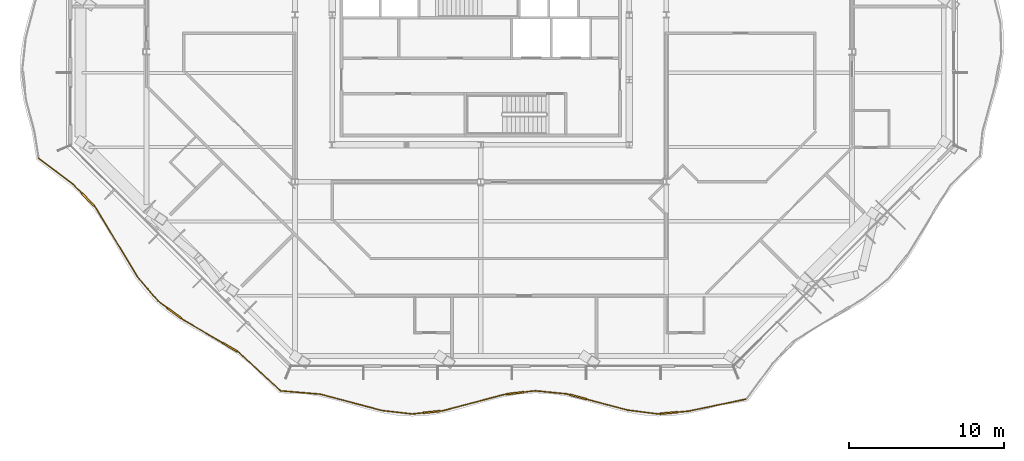
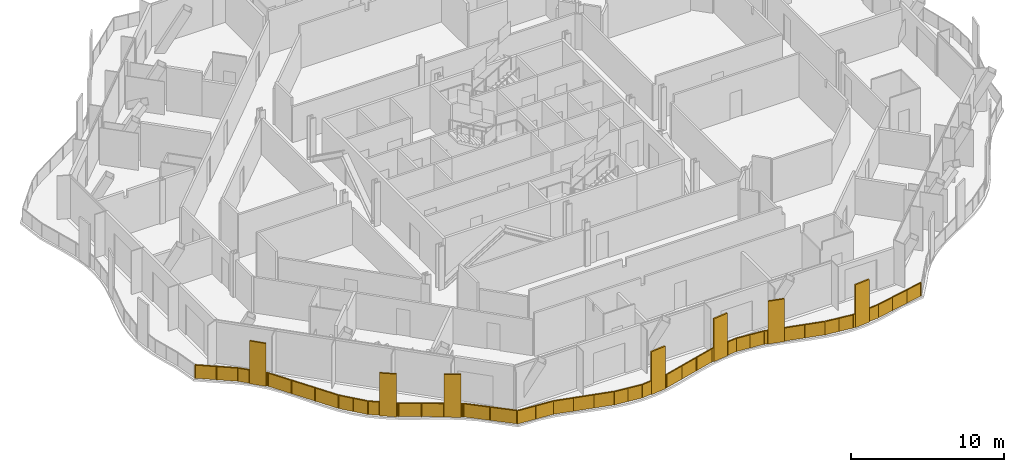
# One storey, part 14 of 21: 2 railings.
"""IFC4 building model written with IfcOpenShell, lengths in metres."""

import ifcopenshell
import ifcopenshell.guid

model = None  # the IFC model being written
_history = None  # IfcOwnerHistory: only IFC2X3 demands one
_inside = {}  # id of a spatial element -> (the spatial element, [elements in it])
_under = {}  # id of a project, library or spatial element -> (it, [spatial elements below it])
_declared = {}  # id of a project -> (the project, [libraries it declares])
_typed = {}  # id of a type object -> (the type object, [elements of that type])
_made_of = {}  # id of a material, layer set ... -> (it, [elements and type objects made of it])


def new_model(schema):
    """Start an empty IFC model of exactly this schema.

    Asked for "IFC4X3", IfcOpenShell would pick the latest addendum, in which some entities
    have other attributes; the version numbers below select the first issue.
    IFC2X3 requires an IfcOwnerHistory on every rooted entity: one is made here for all.
    """
    global model, _history
    if schema == "IFC4X3":
        model = ifcopenshell.file(schema_version=(4, 3, 0, 0))
    else:
        model = ifcopenshell.file(schema=schema)
    _inside.clear()
    _under.clear()
    _declared.clear()
    _typed.clear()
    _made_of.clear()
    _history = None
    if model.schema == "IFC2X3":
        org = make("IfcOrganization", Name="unknown")
        user = make(
            "IfcPersonAndOrganization",
            ThePerson=make("IfcPerson", FamilyName="unknown"),
            TheOrganization=org,
        )
        app = make(
            "IfcApplication",
            ApplicationDeveloper=org,
            Version="unknown",
            ApplicationFullName="unknown",
            ApplicationIdentifier="unknown",
        )
        _history = make(
            "IfcOwnerHistory",
            OwningUser=user,
            OwningApplication=app,
            ChangeAction="ADDED",
            CreationDate=0,
        )
    return model


def make(cls, **values):
    """One entity of the class cls with the attributes given. An attribute that is None is left unset."""
    return model.create_entity(
        cls, **{name: value for name, value in values.items() if value is not None}
    )


def rooted(cls, **values):
    """An entity with a GlobalId (a new one), such as an element, a storey or a relation."""
    return make(cls, GlobalId=ifcopenshell.guid.new(), OwnerHistory=_history, **values)


def si_unit(unit_type, name, prefix=None):
    """IfcSIUnit, for example si_unit("LENGTHUNIT", "METRE", prefix="MILLI")."""
    return make("IfcSIUnit", UnitType=unit_type, Prefix=prefix, Name=name)


def assignment(units):
    """IfcUnitAssignment: the units of a project."""
    return None if units is None else make("IfcUnitAssignment", Units=units)


def point(xyz):
    """IfcCartesianPoint."""
    return None if xyz is None else make("IfcCartesianPoint", Coordinates=xyz)


def direction(xyz):
    """IfcDirection."""
    return None if xyz is None else make("IfcDirection", DirectionRatios=xyz)


def frame(location, z_axis=None, x_axis=None):
    """IfcAxis2Placement3D, a coordinate frame: its origin and axes. An axis left out is left unset."""
    return make(
        "IfcAxis2Placement3D",
        Location=point(location),
        Axis=direction(z_axis),
        RefDirection=direction(x_axis),
    )


def frame_2d(location, x_axis=None):
    """IfcAxis2Placement2D, a coordinate frame in the plane: its origin and x axis."""
    return make(
        "IfcAxis2Placement2D", Location=point(location), RefDirection=direction(x_axis)
    )


def origin():
    """The frame at (0, 0, 0) with its axes left unset."""
    return frame((0.0, 0.0, 0.0))


def origin_2d():
    """The frame at (0, 0) in the plane with its x axis left unset."""
    return frame_2d((0.0, 0.0))


def place(relative_to, where):
    """IfcLocalPlacement: puts the frame where relative to a parent placement (None: the world)."""
    return make(
        "IfcLocalPlacement", PlacementRelTo=relative_to, RelativePlacement=where
    )


def context(
    kind, dimensions, precision=None, world=None, true_north=None, identifier=None
):
    """IfcGeometricRepresentationContext, for example the 3D "Model" context."""
    return make(
        "IfcGeometricRepresentationContext",
        ContextIdentifier=identifier,
        ContextType=kind,
        CoordinateSpaceDimension=dimensions,
        Precision=precision,
        WorldCoordinateSystem=world,
        TrueNorth=true_north,
    )


def subcontext(parent, identifier, kind, view, scale=None):
    """IfcGeometricRepresentationSubContext, for example "Body" below "Model"."""
    return make(
        "IfcGeometricRepresentationSubContext",
        ContextIdentifier=identifier,
        ContextType=kind,
        ParentContext=parent,
        TargetScale=scale,
        TargetView=view,
    )


def project(units=None, contexts=None):
    """IfcProject with its units and contexts."""
    return rooted(
        "IfcProject",
        Name="project",
        RepresentationContexts=contexts,
        UnitsInContext=assignment(units),
    )


def spatial(cls, under=None, at=None, **own):
    """A site, building, storey or space (cls), placed at a placement, below another one or the project."""
    s = rooted(cls, ObjectPlacement=at, **own)
    if under is not None:
        _under.setdefault(under.id(), (under, []))[1].append(s)
    return s


def polyline(points):
    """IfcPolyline through the points."""
    return make("IfcPolyline", Points=[point(p) for p in points])


def profile(cls, at=None, kind="AREA", **sizes):
    """A parametric profile (cls). Its sizes go by their IFC names, for example OverallWidth=200.0."""
    return make(cls, ProfileType=kind, Position=at, **sizes)


def rectangle(**sizes):
    """IfcRectangleProfileDef."""
    return profile("IfcRectangleProfileDef", **sizes)


def outline(outer, holes=None, kind="AREA"):
    """IfcArbitraryClosedProfileDef: a profile drawn as a closed curve; with holes, ...WithVoids."""
    if holes is None:
        return make("IfcArbitraryClosedProfileDef", ProfileType=kind, OuterCurve=outer)
    return make(
        "IfcArbitraryProfileDefWithVoids",
        ProfileType=kind,
        OuterCurve=outer,
        InnerCurves=holes,
    )


def extrude(swept, where, along, depth):
    """IfcExtrudedAreaSolid: the profile swept, set in the frame where, extruded along a direction by depth."""
    return make(
        "IfcExtrudedAreaSolid",
        SweptArea=swept,
        Position=where,
        ExtrudedDirection=direction(along),
        Depth=depth,
    )


def shape(context_of_items, identifier, shape_type, items):
    """IfcShapeRepresentation: the items that make up one representation, for example the "Body"."""
    return make(
        "IfcShapeRepresentation",
        ContextOfItems=context_of_items,
        RepresentationIdentifier=identifier,
        RepresentationType=shape_type,
        Items=items,
    )


def material(Name=None, Category=None):
    """IfcMaterial."""
    return make("IfcMaterial", Name=Name, Category=Category)


def made_of(thing, what):
    """Note that an element or type object is made of a material, layer set ...; save() writes the relation."""
    if what is not None:
        _made_of.setdefault(what.id(), (what, []))[1].append(thing)
    return thing


def type_object(cls, material=None, **own):
    """A type object (cls), such as IfcWallType, which elements share."""
    return made_of(rooted(cls, **own), material)


def element(
    cls,
    number,
    at=None,
    inside=None,
    cuts=None,
    type_object=None,
    material=None,
    context=None,
    identifier="Body",
    shape_type=None,
    held_by="IfcProductDefinitionShape",
    body=None,
    shapes=None,
    **own,
):
    """One element of the class cls, such as IfcWall. Its Tag is "e" and its number.

    at: its placement. inside: the storey or other place that contains it. cuts: it is an
    opening in that element (IfcRelVoidsElement). A single representation is given by context,
    identifier, shape_type and body (its items); several are given by shapes. held_by: the class
    of the entity that holds the representations. save() writes the other relations.
    """
    e = rooted(cls, Tag="e%d" % number, ObjectPlacement=at, **own)
    if body is not None:
        shapes = [shape(context, identifier, shape_type, body)]
    if shapes is not None:
        e.Representation = make(held_by, Representations=shapes)
    if inside is not None:
        _inside.setdefault(inside.id(), (inside, []))[1].append(e)
    if cuts is not None:
        rooted(
            "IfcRelVoidsElement", RelatingBuildingElement=cuts, RelatedOpeningElement=e
        )
    if type_object is not None:
        _typed.setdefault(type_object.id(), (type_object, []))[1].append(e)
    return made_of(e, material)


def aggregate(whole, parts):
    """IfcRelAggregates: a whole, such as a stair, and the parts it consists of."""
    return rooted("IfcRelAggregates", RelatingObject=whole, RelatedObjects=parts)


def save(model, path):
    """Write the relations noted so far, then the file.

    IfcRelAggregates (storeys below a building ...), IfcRelContainedInSpatialStructure (elements
    in a storey), IfcRelDefinesByType, IfcRelAssociatesMaterial and IfcRelDeclares: one each for
    every whole, place, type object, material and project.
    """
    for whole, parts in _under.values():
        aggregate(whole, parts)
    for where, things in _inside.values():
        rooted(
            "IfcRelContainedInSpatialStructure",
            RelatedElements=things,
            RelatingStructure=where,
        )
    for kind, things in _typed.values():
        rooted("IfcRelDefinesByType", RelatedObjects=things, RelatingType=kind)
    for what, things in _made_of.values():
        rooted("IfcRelAssociatesMaterial", RelatedObjects=things, RelatingMaterial=what)
    for by, libraries in _declared.values():
        rooted("IfcRelDeclares", RelatingContext=by, RelatedDefinitions=libraries)
    model.write(path)


model = new_model("IFC4")

# Units and contexts
model_context = context("Model", 3, precision=1e-05, world=origin(), true_north=direction((0.0, 1.0)))
body_context = subcontext(model_context, "Body", "Model", "MODEL_VIEW")
ifc_project = project(units=[si_unit("LENGTHUNIT", "METRE"), si_unit("AREAUNIT", "SQUARE_METRE"), si_unit("VOLUMEUNIT", "CUBIC_METRE"), si_unit("PLANEANGLEUNIT", "RADIAN"), si_unit("MASSUNIT", "GRAM", prefix="KILO")], contexts=[model_context])

# Site, building, storey
site_placement = place(None, origin())
site = spatial("IfcSite", under=ifc_project, at=site_placement, CompositionType="ELEMENT")
building_placement = place(site_placement, origin())
building = spatial("IfcBuilding", under=site, at=building_placement, Name="Cairn Pilgrim Tower", CompositionType="ELEMENT")
storey_placement = place(building_placement, frame((0.0, 0.0, 183.0)))
storey = spatial("IfcBuildingStorey", under=building, at=storey_placement, Name="L46", CompositionType="ELEMENT", Elevation=183.0)

# Railings
ifc_material = material(Name="Bronze anodised aluminium rail, posts and fin screens with laminated glass infill", Category="aluminium")
railing_type = type_object("IfcRailingType", Name="BALCONY GUARD WITH FIN SCREENS", PredefinedType="GUARDRAIL", material=ifc_material)
railing_1_placement = place(storey_placement, frame((-5.732421875, -21.90478515625, 0.0)))
element("IfcRailing", 1, at=railing_1_placement, inside=storey, type_object=railing_type, Name="Balcony guard BGF-1 with fin screens", PredefinedType="GUARDRAIL", context=body_context, shape_type="SweptSolid", body=[
    extrude(rectangle(XDim=0.050048828125, YDim=0.050048828125, at=origin_2d()), frame((0.0, 0.0, 1.0751953125), z_axis=(0.996561414013, -0.082857396167, 0.0), x_axis=(0.082857396167, 0.996561414013, 0.0)), (0.0, 0.0, 1.0), 2.578125),
    extrude(rectangle(XDim=0.050048828125, YDim=0.050048828125, at=origin_2d()), frame((2.5693359375, -0.213623046875, 1.0751953125), z_axis=(0.966505377968, -0.256646360501, 0.0), x_axis=(0.256646360501, 0.966505377968, 0.0)), (0.0, 0.0, 1.0), 4.1123046875),
    extrude(rectangle(XDim=0.050048828125, YDim=0.050048828125, at=origin_2d()), frame((6.5439453125, -1.26904296875, 1.0751953125), z_axis=(0.993464661818, -0.114140114417, 0.0), x_axis=(0.114140114417, 0.993464661818, 0.0)), (0.0, 0.0, 1.0), 1.97216796875),
    extrude(rectangle(XDim=1.10009765625, YDim=0.110107421875, at=origin_2d()), frame((9.764892578125, -1.36376953125, 0.0), z_axis=(0.0, 0.0, 1.0), x_axis=(0.99470141865, 0.102806068578, 0.0)), (0.0, 0.0, 1.0), 3.39990234375),
    extrude(rectangle(XDim=0.050048828125, YDim=0.050048828125, at=origin_2d()), frame((8.503173828125, -1.494140625, 1.0751953125), z_axis=(0.99470141865, 0.102806068578, 0.0), x_axis=(-0.102806068578, 0.99470141865, 0.0)), (0.0, 0.0, 1.0), 0.718505859375),
    extrude(rectangle(XDim=0.050048828125, YDim=0.050048828125, at=origin_2d()), frame((10.31201171875, -1.30712890625, 1.0751953125), z_axis=(0.99470141865, 0.102806068578, 0.0), x_axis=(-0.102806068578, 0.99470141865, 0.0)), (0.0, 0.0, 1.0), 0.150146484375),
    extrude(rectangle(XDim=0.050048828125, YDim=0.050048828125, at=origin_2d()), frame((10.46142578125, -1.291748046875, 1.0751953125), z_axis=(0.96653901121, 0.25651966749, 0.0), x_axis=(-0.25651966749, 0.96653901121, 0.0)), (0.0, 0.0, 1.0), 4.108642578125),
    extrude(rectangle(XDim=1.10009765625, YDim=0.110107421875, at=origin_2d()), frame((15.1689453125, -0.14892578125, 0.0), z_axis=(0.0, 0.0, 1.0), x_axis=(0.992809438163, 0.119705553316, 0.0)), (0.0, 0.0, 1.0), 3.39990234375),
    extrude(rectangle(XDim=0.050048828125, YDim=0.050048828125, at=origin_2d()), frame((14.4326171875, -0.23779296875, 1.0751953125), z_axis=(0.992809438163, 0.119705553316, 0.0), x_axis=(-0.119705553316, 0.992809438163, 0.0)), (0.0, 0.0, 1.0), 0.191650390625),
    extrude(rectangle(XDim=0.050048828125, YDim=0.050048828125, at=origin_2d()), frame((15.71484375, -0.083251953125, 1.0751953125), z_axis=(0.992809438163, 0.119705553316, 0.0), x_axis=(-0.119705553316, 0.992809438163, 0.0)), (0.0, 0.0, 1.0), 0.735595703125),
    extrude(rectangle(XDim=0.050048828125, YDim=0.050048828125, at=origin_2d()), frame((16.4453125, 0.0048828125, 1.0751953125), z_axis=(0.995275486759, -0.097091222351, 0.0), x_axis=(0.097091222351, 0.995275486759, 0.0)), (0.0, 0.0, 1.0), 2.024169921875),
    extrude(rectangle(XDim=1.10009765625, YDim=0.110107421875, at=origin_2d()), frame((19.22705078125, -0.39501953125, 0.0), z_axis=(0.0, 0.0, 1.0), x_axis=(0.966604494718, -0.256272805406, 0.0)), (0.0, 0.0, 1.0), 3.39990234375),
    extrude(rectangle(XDim=0.050048828125, YDim=0.050048828125, at=origin_2d()), frame((18.4599609375, -0.191650390625, 1.0751953125), z_axis=(0.966604494718, -0.256272805406, 0.0), x_axis=(0.256272805406, 0.966604494718, 0.0)), (0.0, 0.0, 1.0), 0.24365234375),
    extrude(rectangle(XDim=0.050048828125, YDim=0.050048828125, at=origin_2d()), frame((19.7587890625, -0.535888671875, 1.0751953125), z_axis=(0.966604494718, -0.256272805406, 0.0), x_axis=(0.256272805406, 0.966604494718, 0.0)), (0.0, 0.0, 1.0), 2.76806640625),
    extrude(rectangle(XDim=0.050048828125, YDim=0.050048828125, at=origin_2d()), frame((22.434326171875, -1.245361328125, 1.0751953125), z_axis=(0.992134641634, -0.125175288576, 0.0), x_axis=(0.125175288576, 0.992134641634, 0.0)), (0.0, 0.0, 1.0), 1.975830078125),
    extrude(rectangle(XDim=1.10009765625, YDim=0.110107421875, at=origin_2d()), frame((25.091552734375, -1.4287109375, 0.0), z_axis=(0.0, 0.0, 1.0), x_axis=(0.995828941638, 0.091239898051, 0.0)), (0.0, 0.0, 1.0), 3.39990234375),
    extrude(rectangle(XDim=0.050048828125, YDim=0.050048828125, at=origin_2d()), frame((24.39453125, -1.49267578125, 1.0751953125), z_axis=(0.995828941638, 0.091239898051, 0.0), x_axis=(-0.091239898051, 0.995828941638, 0.0)), (0.0, 0.0, 1.0), 0.14990234375),
    extrude(rectangle(XDim=0.050048828125, YDim=0.050048828125, at=origin_2d()), frame((25.639404296875, -1.378662109375, 1.0751953125), z_axis=(0.995828941638, 0.091239898051, 0.0), x_axis=(-0.091239898051, 0.995828941638, 0.0)), (0.0, 0.0, 1.0), 0.719482421875),
    extrude(rectangle(XDim=0.050048828125, YDim=0.050048828125, at=origin_2d()), frame((26.355712890625, -1.31298828125, 1.0751953125), z_axis=(0.978817480653, 0.204734803022, 0.0), x_axis=(-0.204734803022, 0.978817480653, 0.0)), (0.0, 0.0, 1.0), 3.771728515625),
    extrude(rectangle(XDim=0.050048828125, YDim=0.050048828125, at=origin_2d()), origin(), (0.0, 0.0, 1.0), 1.050048828125),
    extrude(rectangle(XDim=0.050048828125, YDim=0.050048828125, at=origin_2d()), frame((1.28466796875, -0.10693359375, 0.0)), (0.0, 0.0, 1.0), 1.050048828125),
    extrude(rectangle(XDim=0.050048828125, YDim=0.050048828125, at=origin_2d()), frame((2.5693359375, -0.213623046875, 0.0)), (0.0, 0.0, 1.0), 1.050048828125),
    extrude(rectangle(XDim=0.050048828125, YDim=0.050048828125, at=origin_2d()), frame((3.894287109375, -0.5654296875, 0.0)), (0.0, 0.0, 1.0), 1.050048828125),
    extrude(rectangle(XDim=0.050048828125, YDim=0.050048828125, at=origin_2d()), frame((5.218994140625, -0.917236328125, 0.0)), (0.0, 0.0, 1.0), 1.050048828125),
    extrude(rectangle(XDim=0.050048828125, YDim=0.050048828125, at=origin_2d()), frame((6.5439453125, -1.26904296875, 0.0)), (0.0, 0.0, 1.0), 1.050048828125),
    extrude(rectangle(XDim=0.050048828125, YDim=0.050048828125, at=origin_2d()), frame((7.5234375, -1.381591796875, 0.0)), (0.0, 0.0, 1.0), 1.050048828125),
    extrude(rectangle(XDim=0.050048828125, YDim=0.050048828125, at=origin_2d()), frame((8.503173828125, -1.494140625, 0.0)), (0.0, 0.0, 1.0), 1.050048828125),
    extrude(rectangle(XDim=0.050048828125, YDim=0.050048828125, at=origin_2d()), frame((9.193115234375, -1.4228515625, 0.0)), (0.0, 0.0, 1.0), 1.050048828125),
    extrude(rectangle(XDim=0.050048828125, YDim=0.050048828125, at=origin_2d()), frame((10.3369140625, -1.3046875, 0.0)), (0.0, 0.0, 1.0), 1.050048828125),
    extrude(rectangle(XDim=0.050048828125, YDim=0.050048828125, at=origin_2d()), frame((10.46142578125, -1.291748046875, 0.0)), (0.0, 0.0, 1.0), 1.050048828125),
    extrude(rectangle(XDim=0.050048828125, YDim=0.050048828125, at=origin_2d()), frame((11.78515625, -0.9404296875, 0.0)), (0.0, 0.0, 1.0), 1.050048828125),
    extrude(rectangle(XDim=0.050048828125, YDim=0.050048828125, at=origin_2d()), frame((13.10888671875, -0.589111328125, 0.0)), (0.0, 0.0, 1.0), 1.050048828125),
    extrude(rectangle(XDim=0.050048828125, YDim=0.050048828125, at=origin_2d()), frame((14.4326171875, -0.23779296875, 0.0)), (0.0, 0.0, 1.0), 1.050048828125),
    extrude(rectangle(XDim=0.050048828125, YDim=0.050048828125, at=origin_2d()), frame((14.597900390625, -0.2177734375, 0.0)), (0.0, 0.0, 1.0), 1.050048828125),
    extrude(rectangle(XDim=0.050048828125, YDim=0.050048828125, at=origin_2d()), frame((15.73974609375, -0.080078125, 0.0)), (0.0, 0.0, 1.0), 1.050048828125),
    extrude(rectangle(XDim=0.050048828125, YDim=0.050048828125, at=origin_2d()), frame((16.4453125, 0.0048828125, 0.0)), (0.0, 0.0, 1.0), 1.050048828125),
    extrude(rectangle(XDim=0.050048828125, YDim=0.050048828125, at=origin_2d()), frame((17.45263671875, -0.09326171875, 0.0)), (0.0, 0.0, 1.0), 1.050048828125),
    extrude(rectangle(XDim=0.050048828125, YDim=0.050048828125, at=origin_2d()), frame((18.4599609375, -0.191650390625, 0.0)), (0.0, 0.0, 1.0), 1.050048828125),
    extrude(rectangle(XDim=0.050048828125, YDim=0.050048828125, at=origin_2d()), frame((18.67138671875, -0.247802734375, 0.0)), (0.0, 0.0, 1.0), 1.050048828125),
    extrude(rectangle(XDim=0.050048828125, YDim=0.050048828125, at=origin_2d()), frame((19.782958984375, -0.54248046875, 0.0)), (0.0, 0.0, 1.0), 1.050048828125),
    extrude(rectangle(XDim=0.050048828125, YDim=0.050048828125, at=origin_2d()), frame((21.108642578125, -0.893798828125, 0.0)), (0.0, 0.0, 1.0), 1.050048828125),
    extrude(rectangle(XDim=0.050048828125, YDim=0.050048828125, at=origin_2d()), frame((22.434326171875, -1.245361328125, 0.0)), (0.0, 0.0, 1.0), 1.050048828125),
    extrude(rectangle(XDim=0.050048828125, YDim=0.050048828125, at=origin_2d()), frame((23.41455078125, -1.369140625, 0.0)), (0.0, 0.0, 1.0), 1.050048828125),
    extrude(rectangle(XDim=0.050048828125, YDim=0.050048828125, at=origin_2d()), frame((24.39453125, -1.49267578125, 0.0)), (0.0, 0.0, 1.0), 1.050048828125),
    extrude(rectangle(XDim=0.050048828125, YDim=0.050048828125, at=origin_2d()), frame((24.51904296875, -1.481201171875, 0.0)), (0.0, 0.0, 1.0), 1.050048828125),
    extrude(rectangle(XDim=0.050048828125, YDim=0.050048828125, at=origin_2d()), frame((25.664306640625, -1.37646484375, 0.0)), (0.0, 0.0, 1.0), 1.050048828125),
    extrude(rectangle(XDim=0.050048828125, YDim=0.050048828125, at=origin_2d()), frame((26.355712890625, -1.31298828125, 0.0)), (0.0, 0.0, 1.0), 1.050048828125),
    extrude(rectangle(XDim=0.050048828125, YDim=0.050048828125, at=origin_2d()), frame((27.58642578125, -1.0556640625, 0.0)), (0.0, 0.0, 1.0), 1.050048828125),
    extrude(rectangle(XDim=0.050048828125, YDim=0.050048828125, at=origin_2d()), frame((28.81689453125, -0.798095703125, 0.0)), (0.0, 0.0, 1.0), 1.050048828125),
    extrude(rectangle(XDim=0.050048828125, YDim=0.050048828125, at=origin_2d()), frame((30.047607421875, -0.540771484375, 0.0)), (0.0, 0.0, 1.0), 1.050048828125),
    extrude(outline(polyline([(0.02490234375, 0.0), (1.26416015625, 0.0), (1.26416015625, 1.050048828125), (0.02490234375, 1.050048828125), (0.02490234375, 0.0)])), frame((0.00048828125, 0.005859375, 0.0), z_axis=(-0.082857396167, -0.996561414013, 0.0), x_axis=(0.996561414013, -0.082857396167, 0.0)), (0.0, 0.0, 1.0), 0.011962890625),
    extrude(outline(polyline([(0.02490234375, 0.0), (1.26416015625, 0.0), (1.26416015625, 1.050048828125), (0.02490234375, 1.050048828125), (0.02490234375, 0.0)])), frame((1.28515625, -0.100830078125, 0.0), z_axis=(-0.082857396167, -0.996561414013, 0.0), x_axis=(0.996561414013, -0.082857396167, 0.0)), (0.0, 0.0, 1.0), 0.011962890625),
    extrude(outline(polyline([(0.02490234375, 0.0), (1.345703125, 0.0), (1.345703125, 1.050048828125), (0.02490234375, 1.050048828125), (0.02490234375, 0.0)])), frame((2.57080078125, -0.207763671875, 0.0), z_axis=(-0.256646360501, -0.966505377968, 0.0), x_axis=(0.966505377968, -0.256646360501, 0.0)), (0.0, 0.0, 1.0), 0.011962890625),
    extrude(outline(polyline([(0.02490234375, 0.0), (1.345703125, 0.0), (1.345703125, 1.050048828125), (0.02490234375, 1.050048828125), (0.02490234375, 0.0)])), frame((3.895751953125, -0.5595703125, 0.0), z_axis=(-0.256646360501, -0.966505377968, 0.0), x_axis=(0.966505377968, -0.256646360501, 0.0)), (0.0, 0.0, 1.0), 0.011962890625),
    extrude(outline(polyline([(0.02490234375, 0.0), (1.345703125, 0.0), (1.345703125, 1.050048828125), (0.02490234375, 1.050048828125), (0.02490234375, 0.0)])), frame((5.220703125, -0.911376953125, 0.0), z_axis=(-0.256646360501, -0.966505377968, 0.0), x_axis=(0.966505377968, -0.256646360501, 0.0)), (0.0, 0.0, 1.0), 0.011962890625),
    extrude(outline(polyline([(0.02490234375, 0.0), (0.9609375, 0.0), (0.9609375, 1.050048828125), (0.02490234375, 1.050048828125), (0.02490234375, 0.0)])), frame((6.544677734375, -1.26318359375, 0.0), z_axis=(-0.114140114417, -0.993464661818, 0.0), x_axis=(0.993464661818, -0.114140114417, 0.0)), (0.0, 0.0, 1.0), 0.011962890625),
    extrude(outline(polyline([(0.02490234375, 0.0), (0.9609375, 0.0), (0.9609375, 1.050048828125), (0.02490234375, 1.050048828125), (0.02490234375, 0.0)])), frame((7.524169921875, -1.375732421875, 0.0), z_axis=(-0.114140114417, -0.993464661818, 0.0), x_axis=(0.993464661818, -0.114140114417, 0.0)), (0.0, 0.0, 1.0), 0.011962890625),
    extrude(outline(polyline([(0.02490234375, 0.0), (0.66845703125, 0.0), (0.66845703125, 1.050048828125), (0.02490234375, 1.050048828125), (0.02490234375, 0.0)])), frame((8.50244140625, -1.48828125, 0.0), z_axis=(0.102806068578, -0.99470141865, 0.0), x_axis=(0.99470141865, 0.102806068578, 0.0)), (0.0, 0.0, 1.0), 0.011962890625),
    extrude(outline(polyline([(0.02490234375, 0.0), (0.10009765625, 0.0), (0.10009765625, 1.050048828125), (0.02490234375, 1.050048828125), (0.02490234375, 0.0)])), frame((10.33642578125, -1.298583984375, 0.0), z_axis=(0.102806068578, -0.99470141865, 0.0), x_axis=(0.99470141865, 0.102806068578, 0.0)), (0.0, 0.0, 1.0), 0.011962890625),
    extrude(outline(polyline([(0.02490234375, 0.0), (1.344482421875, 0.0), (1.344482421875, 1.050048828125), (0.02490234375, 1.050048828125), (0.02490234375, 0.0)])), frame((10.4599609375, -1.285888671875, 0.0), z_axis=(0.25651966749, -0.96653901121, 0.0), x_axis=(0.96653901121, 0.25651966749, 0.0)), (0.0, 0.0, 1.0), 0.011962890625),
    extrude(outline(polyline([(0.02490234375, 0.0), (1.344482421875, 0.0), (1.344482421875, 1.050048828125), (0.02490234375, 1.050048828125), (0.02490234375, 0.0)])), frame((11.78369140625, -0.9345703125, 0.0), z_axis=(0.25651966749, -0.96653901121, 0.0), x_axis=(0.96653901121, 0.25651966749, 0.0)), (0.0, 0.0, 1.0), 0.011962890625),
    extrude(outline(polyline([(0.02490234375, 0.0), (1.344482421875, 0.0), (1.344482421875, 1.050048828125), (0.02490234375, 1.050048828125), (0.02490234375, 0.0)])), frame((13.107421875, -0.583251953125, 0.0), z_axis=(0.25651966749, -0.96653901121, 0.0), x_axis=(0.96653901121, 0.25651966749, 0.0)), (0.0, 0.0, 1.0), 0.011962890625),
    extrude(outline(polyline([(0.02490234375, 0.0), (0.1416015625, 0.0), (0.1416015625, 1.050048828125), (0.02490234375, 1.050048828125), (0.02490234375, 0.0)])), frame((14.431884765625, -0.23193359375, 0.0), z_axis=(0.119705553316, -0.992809438163, 0.0), x_axis=(0.992809438163, 0.119705553316, 0.0)), (0.0, 0.0, 1.0), 0.011962890625),
    extrude(outline(polyline([(0.02490234375, 0.0), (0.685546875, 0.0), (0.685546875, 1.050048828125), (0.02490234375, 1.050048828125), (0.02490234375, 0.0)])), frame((15.739013671875, -0.07421875, 0.0), z_axis=(0.119705553316, -0.992809438163, 0.0), x_axis=(0.992809438163, 0.119705553316, 0.0)), (0.0, 0.0, 1.0), 0.011962890625),
    extrude(outline(polyline([(0.02490234375, 0.0), (0.987060546875, 0.0), (0.987060546875, 1.050048828125), (0.02490234375, 1.050048828125), (0.02490234375, 0.0)])), frame((16.44580078125, 0.0107421875, 0.0), z_axis=(-0.097091222351, -0.995275486759, 0.0), x_axis=(0.995275486759, -0.097091222351, 0.0)), (0.0, 0.0, 1.0), 0.011962890625),
    extrude(outline(polyline([(0.02490234375, 0.0), (0.987060546875, 0.0), (0.987060546875, 1.050048828125), (0.02490234375, 1.050048828125), (0.02490234375, 0.0)])), frame((17.453125, -0.08740234375, 0.0), z_axis=(-0.097091222351, -0.995275486759, 0.0), x_axis=(0.995275486759, -0.097091222351, 0.0)), (0.0, 0.0, 1.0), 0.011962890625),
    extrude(outline(polyline([(0.02490234375, 0.0), (0.193603515625, 0.0), (0.193603515625, 1.050048828125), (0.02490234375, 1.050048828125), (0.02490234375, 0.0)])), frame((18.46142578125, -0.185791015625, 0.0), z_axis=(-0.256272805406, -0.966604494718, 0.0), x_axis=(0.966604494718, -0.256272805406, 0.0)), (0.0, 0.0, 1.0), 0.011962890625),
    extrude(outline(polyline([(0.02490234375, 0.0), (1.346435546875, 0.0), (1.346435546875, 1.050048828125), (0.02490234375, 1.050048828125), (0.02490234375, 0.0)])), frame((19.784423828125, -0.53662109375, 0.0), z_axis=(-0.256272805406, -0.966604494718, 0.0), x_axis=(0.966604494718, -0.256272805406, 0.0)), (0.0, 0.0, 1.0), 0.011962890625),
    extrude(outline(polyline([(0.02490234375, 0.0), (1.346435546875, 0.0), (1.346435546875, 1.050048828125), (0.02490234375, 1.050048828125), (0.02490234375, 0.0)])), frame((21.110107421875, -0.88818359375, 0.0), z_axis=(-0.256272805406, -0.966604494718, 0.0), x_axis=(0.966604494718, -0.256272805406, 0.0)), (0.0, 0.0, 1.0), 0.011962890625),
    extrude(outline(polyline([(0.02490234375, 0.0), (0.962890625, 0.0), (0.962890625, 1.050048828125), (0.02490234375, 1.050048828125), (0.02490234375, 0.0)])), frame((22.43505859375, -1.239501953125, 0.0), z_axis=(-0.125175288576, -0.992134641634, 0.0), x_axis=(0.992134641634, -0.125175288576, 0.0)), (0.0, 0.0, 1.0), 0.011962890625),
    extrude(outline(polyline([(0.02490234375, 0.0), (0.962890625, 0.0), (0.962890625, 1.050048828125), (0.02490234375, 1.050048828125), (0.02490234375, 0.0)])), frame((23.415283203125, -1.363037109375, 0.0), z_axis=(-0.125175288576, -0.992134641634, 0.0), x_axis=(0.992134641634, -0.125175288576, 0.0)), (0.0, 0.0, 1.0), 0.011962890625),
    extrude(outline(polyline([(0.02490234375, 0.0), (0.099853515625, 0.0), (0.099853515625, 1.050048828125), (0.02490234375, 1.050048828125), (0.02490234375, 0.0)])), frame((24.39404296875, -1.48681640625, 0.0), z_axis=(0.091239898051, -0.995828941638, 0.0), x_axis=(0.995828941638, 0.091239898051, 0.0)), (0.0, 0.0, 1.0), 0.011962890625),
    extrude(outline(polyline([(0.02490234375, 0.0), (0.66943359375, 0.0), (0.66943359375, 1.050048828125), (0.02490234375, 1.050048828125), (0.02490234375, 0.0)])), frame((25.66357421875, -1.370361328125, 0.0), z_axis=(0.091239898051, -0.995828941638, 0.0), x_axis=(0.995828941638, 0.091239898051, 0.0)), (0.0, 0.0, 1.0), 0.011962890625),
    extrude(outline(polyline([(0.02490234375, 0.0), (1.232177734375, 0.0), (1.232177734375, 1.050048828125), (0.02490234375, 1.050048828125), (0.02490234375, 0.0)])), frame((26.3544921875, -1.30712890625, 0.0), z_axis=(0.204734803022, -0.978817480653, 0.0), x_axis=(0.978817480653, 0.204734803022, 0.0)), (0.0, 0.0, 1.0), 0.011962890625),
    extrude(outline(polyline([(0.02490234375, 0.0), (1.232177734375, 0.0), (1.232177734375, 1.050048828125), (0.02490234375, 1.050048828125), (0.02490234375, 0.0)])), frame((27.585205078125, -1.0498046875, 0.0), z_axis=(0.204734803022, -0.978817480653, 0.0), x_axis=(0.978817480653, 0.204734803022, 0.0)), (0.0, 0.0, 1.0), 0.011962890625),
    extrude(outline(polyline([(0.02490234375, 0.0), (1.232177734375, 0.0), (1.232177734375, 1.050048828125), (0.02490234375, 1.050048828125), (0.02490234375, 0.0)])), frame((28.815673828125, -0.792236328125, 0.0), z_axis=(0.204734803022, -0.978817480653, 0.0), x_axis=(0.978817480653, 0.204734803022, 0.0)), (0.0, 0.0, 1.0), 0.011962890625),
])
railing_2_placement = place(storey_placement, frame((-21.3740234375, -6.869384765625, 0.0)))
element("IfcRailing", 2, at=railing_2_placement, inside=storey, type_object=railing_type, Name="Balcony guard BGF-8 with fin screens", PredefinedType="GUARDRAIL", context=body_context, shape_type="SweptSolid", body=[
    extrude(rectangle(XDim=0.050048828125, YDim=0.050048828125, at=origin_2d()), frame((0.0, 0.0, 1.0751953125), z_axis=(0.797685764529, -0.603073313178, 0.0), x_axis=(0.603073313178, 0.797685764529, 0.0)), (0.0, 0.0, 1.0), 2.817626953125),
    extrude(rectangle(XDim=1.10009765625, YDim=0.110107421875, at=origin_2d()), frame((3.196533203125, -2.6806640625, 0.0), z_axis=(0.0, 0.0, 1.0), x_axis=(0.695187068694, -0.718828866644, 0.0)), (0.0, 0.0, 1.0), 3.39990234375),
    extrude(rectangle(XDim=0.050048828125, YDim=0.050048828125, at=origin_2d()), frame((2.24755859375, -1.69921875, 1.0751953125), z_axis=(0.695187068694, -0.718828866644, 0.0), x_axis=(0.718828866644, 0.695187068694, 0.0)), (0.0, 0.0, 1.0), 0.815185546875),
    extrude(rectangle(XDim=0.050048828125, YDim=0.050048828125, at=origin_2d()), frame((3.5791015625, -3.075927734375, 1.0751953125), z_axis=(0.695187068694, -0.718828866644, 0.0), x_axis=(0.718828866644, 0.695187068694, 0.0)), (0.0, 0.0, 1.0), 0.150146484375),
    extrude(rectangle(XDim=0.050048828125, YDim=0.050048828125, at=origin_2d()), frame((3.683349609375, -3.183837890625, 1.0751953125), z_axis=(0.517489052786, -0.855689827126, 0.0), x_axis=(0.855689827126, 0.517489052786, 0.0)), (0.0, 0.0, 1.0), 5.248046875),
    extrude(rectangle(XDim=0.050048828125, YDim=0.050048828125, at=origin_2d()), frame((6.399169921875, -7.674560546875, 1.0751953125), z_axis=(0.648102177598, -0.761553391032, 0.0), x_axis=(0.761553391032, 0.648102177598, 0.0)), (0.0, 0.0, 1.0), 2.01416015625),
    extrude(rectangle(XDim=1.10009765625, YDim=0.110107421875, at=origin_2d()), frame((8.7685546875, -10.0087890625, 0.0), z_axis=(0.0, 0.0, 1.0), x_axis=(0.799162805662, -0.601114639687, 0.0)), (0.0, 0.0, 1.0), 3.39990234375),
    extrude(rectangle(XDim=0.050048828125, YDim=0.050048828125, at=origin_2d()), frame((7.70458984375, -9.20849609375, 1.0751953125), z_axis=(0.799162805662, -0.601114639687, 0.0), x_axis=(0.601114639687, 0.799162805662, 0.0)), (0.0, 0.0, 1.0), 0.781494140625),
    extrude(rectangle(XDim=0.050048828125, YDim=0.050048828125, at=origin_2d()), frame((9.208251953125, -10.339599609375, 1.0751953125), z_axis=(0.799162805662, -0.601114639687, 0.0), x_axis=(0.601114639687, 0.799162805662, 0.0)), (0.0, 0.0, 1.0), 0.150146484375),
    extrude(rectangle(XDim=1.10009765625, YDim=0.110107421875, at=origin_2d()), frame((12.36328125, -12.20703125, 0.0), z_axis=(0.0, 0.0, 1.0), x_axis=(0.86293997727, -0.505306437351, 0.0)), (0.0, 0.0, 1.0), 3.39990234375),
    extrude(rectangle(XDim=0.050048828125, YDim=0.050048828125, at=origin_2d()), frame((9.328125, -10.4296875, 1.0751953125), z_axis=(0.86293997727, -0.505306437351, 0.0), x_axis=(0.505306437351, 0.86293997727, 0.0)), (0.0, 0.0, 1.0), 2.96728515625),
    extrude(rectangle(XDim=0.050048828125, YDim=0.050048828125, at=origin_2d()), frame((12.837890625, -12.48486328125, 1.0751953125), z_axis=(0.86293997727, -0.505306437351, 0.0), x_axis=(0.505306437351, 0.86293997727, 0.0)), (0.0, 0.0, 1.0), 0.150146484375),
    extrude(rectangle(XDim=0.050048828125, YDim=0.050048828125, at=origin_2d()), frame((12.967529296875, -12.560791015625, 1.0751953125), z_axis=(0.733964427182, -0.67918791187, 0.0), x_axis=(0.67918791187, 0.733964427182, 0.0)), (0.0, 0.0, 1.0), 3.58349609375),
    extrude(rectangle(XDim=0.050048828125, YDim=0.050048828125, at=origin_2d()), origin(), (0.0, 0.0, 1.0), 1.050048828125),
    extrude(rectangle(XDim=0.050048828125, YDim=0.050048828125, at=origin_2d()), frame((1.123779296875, -0.849609375, 0.0)), (0.0, 0.0, 1.0), 1.050048828125),
    extrude(rectangle(XDim=0.050048828125, YDim=0.050048828125, at=origin_2d()), frame((2.24755859375, -1.69921875, 0.0)), (0.0, 0.0, 1.0), 1.050048828125),
    extrude(rectangle(XDim=0.050048828125, YDim=0.050048828125, at=origin_2d()), frame((2.796875, -2.267333984375, 0.0)), (0.0, 0.0, 1.0), 1.050048828125),
    extrude(rectangle(XDim=0.050048828125, YDim=0.050048828125, at=origin_2d()), frame((3.596435546875, -3.093994140625, 0.0)), (0.0, 0.0, 1.0), 1.050048828125),
    extrude(rectangle(XDim=0.050048828125, YDim=0.050048828125, at=origin_2d()), frame((3.683349609375, -3.183837890625, 0.0)), (0.0, 0.0, 1.0), 1.050048828125),
    extrude(rectangle(XDim=0.050048828125, YDim=0.050048828125, at=origin_2d()), frame((4.588623046875, -4.6806640625, 0.0)), (0.0, 0.0, 1.0), 1.050048828125),
    extrude(rectangle(XDim=0.050048828125, YDim=0.050048828125, at=origin_2d()), frame((5.493896484375, -6.177734375, 0.0)), (0.0, 0.0, 1.0), 1.050048828125),
    extrude(rectangle(XDim=0.050048828125, YDim=0.050048828125, at=origin_2d()), frame((6.399169921875, -7.674560546875, 0.0)), (0.0, 0.0, 1.0), 1.050048828125),
    extrude(rectangle(XDim=0.050048828125, YDim=0.050048828125, at=origin_2d()), frame((7.0517578125, -8.44140625, 0.0)), (0.0, 0.0, 1.0), 1.050048828125),
    extrude(rectangle(XDim=0.050048828125, YDim=0.050048828125, at=origin_2d()), frame((7.70458984375, -9.20849609375, 0.0)), (0.0, 0.0, 1.0), 1.050048828125),
    extrude(rectangle(XDim=0.050048828125, YDim=0.050048828125, at=origin_2d()), frame((8.30908203125, -9.663330078125, 0.0)), (0.0, 0.0, 1.0), 1.050048828125),
    extrude(rectangle(XDim=0.050048828125, YDim=0.050048828125, at=origin_2d()), frame((9.228271484375, -10.3544921875, 0.0)), (0.0, 0.0, 1.0), 1.050048828125),
    extrude(rectangle(XDim=0.050048828125, YDim=0.050048828125, at=origin_2d()), frame((9.328125, -10.4296875, 0.0)), (0.0, 0.0, 1.0), 1.050048828125),
    extrude(rectangle(XDim=0.050048828125, YDim=0.050048828125, at=origin_2d()), frame((10.59765625, -11.173095703125, 0.0)), (0.0, 0.0, 1.0), 1.050048828125),
    extrude(rectangle(XDim=0.050048828125, YDim=0.050048828125, at=origin_2d()), frame((11.8671875, -11.91650390625, 0.0)), (0.0, 0.0, 1.0), 1.050048828125),
    extrude(rectangle(XDim=0.050048828125, YDim=0.050048828125, at=origin_2d()), frame((12.859619140625, -12.49755859375, 0.0)), (0.0, 0.0, 1.0), 1.050048828125),
    extrude(rectangle(XDim=0.050048828125, YDim=0.050048828125, at=origin_2d()), frame((12.967529296875, -12.560791015625, 0.0)), (0.0, 0.0, 1.0), 1.050048828125),
    extrude(rectangle(XDim=0.050048828125, YDim=0.050048828125, at=origin_2d()), frame((14.28271484375, -13.77783203125, 0.0)), (0.0, 0.0, 1.0), 1.050048828125),
    extrude(rectangle(XDim=0.050048828125, YDim=0.050048828125, at=origin_2d()), frame((15.59765625, -14.99462890625, 0.0)), (0.0, 0.0, 1.0), 1.050048828125),
    extrude(outline(polyline([(0.02490234375, 0.0), (1.3837890625, 0.0), (1.3837890625, 1.050048828125), (0.02490234375, 1.050048828125), (0.02490234375, 0.0)])), frame((0.003662109375, 0.0048828125, 0.0), z_axis=(-0.603073313178, -0.797685764529, 0.0), x_axis=(0.797685764529, -0.603073313178, 0.0)), (0.0, 0.0, 1.0), 0.011962890625),
    extrude(outline(polyline([(0.02490234375, 0.0), (1.3837890625, 0.0), (1.3837890625, 1.050048828125), (0.02490234375, 1.050048828125), (0.02490234375, 0.0)])), frame((1.12744140625, -0.8447265625, 0.0), z_axis=(-0.603073313178, -0.797685764529, 0.0), x_axis=(0.797685764529, -0.603073313178, 0.0)), (0.0, 0.0, 1.0), 0.011962890625),
    extrude(outline(polyline([(0.02490234375, 0.0), (0.76513671875, 0.0), (0.76513671875, 1.050048828125), (0.02490234375, 1.050048828125), (0.02490234375, 0.0)])), frame((2.251953125, -1.695068359375, 0.0), z_axis=(-0.718828866644, -0.695187068694, 0.0), x_axis=(0.695187068694, -0.718828866644, 0.0)), (0.0, 0.0, 1.0), 0.011962890625),
    extrude(outline(polyline([(0.02490234375, 0.0), (0.10009765625, 0.0), (0.10009765625, 1.050048828125), (0.02490234375, 1.050048828125), (0.02490234375, 0.0)])), frame((3.6005859375, -3.08984375, 0.0), z_axis=(-0.718828866644, -0.695187068694, 0.0), x_axis=(0.695187068694, -0.718828866644, 0.0)), (0.0, 0.0, 1.0), 0.011962890625),
    extrude(outline(polyline([(0.02490234375, 0.0), (1.724365234375, 0.0), (1.724365234375, 1.050048828125), (0.02490234375, 1.050048828125), (0.02490234375, 0.0)])), frame((3.6884765625, -3.1806640625, 0.0), z_axis=(-0.855689827126, -0.517489052786, 0.0), x_axis=(0.517489052786, -0.855689827126, 0.0)), (0.0, 0.0, 1.0), 0.011962890625),
    extrude(outline(polyline([(0.02490234375, 0.0), (1.724365234375, 0.0), (1.724365234375, 1.050048828125), (0.02490234375, 1.050048828125), (0.02490234375, 0.0)])), frame((4.59375, -4.677734375, 0.0), z_axis=(-0.855689827126, -0.517489052786, 0.0), x_axis=(0.517489052786, -0.855689827126, 0.0)), (0.0, 0.0, 1.0), 0.011962890625),
    extrude(outline(polyline([(0.02490234375, 0.0), (1.724365234375, 0.0), (1.724365234375, 1.050048828125), (0.02490234375, 1.050048828125), (0.02490234375, 0.0)])), frame((5.4990234375, -6.174560546875, 0.0), z_axis=(-0.855689827126, -0.517489052786, 0.0), x_axis=(0.517489052786, -0.855689827126, 0.0)), (0.0, 0.0, 1.0), 0.011962890625),
    extrude(outline(polyline([(0.02490234375, 0.0), (0.982177734375, 0.0), (0.982177734375, 1.050048828125), (0.02490234375, 1.050048828125), (0.02490234375, 0.0)])), frame((6.40380859375, -7.670654296875, 0.0), z_axis=(-0.761553391032, -0.648102177598, 0.0), x_axis=(0.648102177598, -0.761553391032, 0.0)), (0.0, 0.0, 1.0), 0.011962890625),
    extrude(outline(polyline([(0.02490234375, 0.0), (0.982177734375, 0.0), (0.982177734375, 1.050048828125), (0.02490234375, 1.050048828125), (0.02490234375, 0.0)])), frame((7.056396484375, -8.437744140625, 0.0), z_axis=(-0.761553391032, -0.648102177598, 0.0), x_axis=(0.648102177598, -0.761553391032, 0.0)), (0.0, 0.0, 1.0), 0.011962890625),
    extrude(outline(polyline([(0.02490234375, 0.0), (0.7314453125, 0.0), (0.7314453125, 1.050048828125), (0.02490234375, 1.050048828125), (0.02490234375, 0.0)])), frame((7.708251953125, -9.20361328125, 0.0), z_axis=(-0.601114639687, -0.799162805662, 0.0), x_axis=(0.799162805662, -0.601114639687, 0.0)), (0.0, 0.0, 1.0), 0.011962890625),
    extrude(outline(polyline([(0.02490234375, 0.0), (0.10009765625, 0.0), (0.10009765625, 1.050048828125), (0.02490234375, 1.050048828125), (0.02490234375, 0.0)])), frame((9.231689453125, -10.349853515625, 0.0), z_axis=(-0.601114639687, -0.799162805662, 0.0), x_axis=(0.799162805662, -0.601114639687, 0.0)), (0.0, 0.0, 1.0), 0.011962890625),
    extrude(outline(polyline([(0.02490234375, 0.0), (1.446044921875, 0.0), (1.446044921875, 1.050048828125), (0.02490234375, 1.050048828125), (0.02490234375, 0.0)])), frame((9.3310546875, -10.424560546875, 0.0), z_axis=(-0.505306437351, -0.86293997727, 0.0), x_axis=(0.86293997727, -0.505306437351, 0.0)), (0.0, 0.0, 1.0), 0.011962890625),
    extrude(outline(polyline([(0.02490234375, 0.0), (1.446044921875, 0.0), (1.446044921875, 1.050048828125), (0.02490234375, 1.050048828125), (0.02490234375, 0.0)])), frame((10.6005859375, -11.16796875, 0.0), z_axis=(-0.505306437351, -0.86293997727, 0.0), x_axis=(0.86293997727, -0.505306437351, 0.0)), (0.0, 0.0, 1.0), 0.011962890625),
    extrude(outline(polyline([(0.02490234375, 0.0), (0.10009765625, 0.0), (0.10009765625, 1.050048828125), (0.02490234375, 1.050048828125), (0.02490234375, 0.0)])), frame((12.862548828125, -12.492431640625, 0.0), z_axis=(-0.505306437351, -0.86293997727, 0.0), x_axis=(0.86293997727, -0.505306437351, 0.0)), (0.0, 0.0, 1.0), 0.011962890625),
    extrude(outline(polyline([(0.02490234375, 0.0), (1.7666015625, 0.0), (1.7666015625, 1.050048828125), (0.02490234375, 1.050048828125), (0.02490234375, 0.0)])), frame((12.9716796875, -12.556396484375, 0.0), z_axis=(-0.67918791187, -0.733964427182, 0.0), x_axis=(0.733964427182, -0.67918791187, 0.0)), (0.0, 0.0, 1.0), 0.011962890625),
    extrude(outline(polyline([(0.02490234375, 0.0), (1.7666015625, 0.0), (1.7666015625, 1.050048828125), (0.02490234375, 1.050048828125), (0.02490234375, 0.0)])), frame((14.28662109375, -13.7734375, 0.0), z_axis=(-0.67918791187, -0.733964427182, 0.0), x_axis=(0.733964427182, -0.67918791187, 0.0)), (0.0, 0.0, 1.0), 0.011962890625),
])

save(model, "model.ifc")
